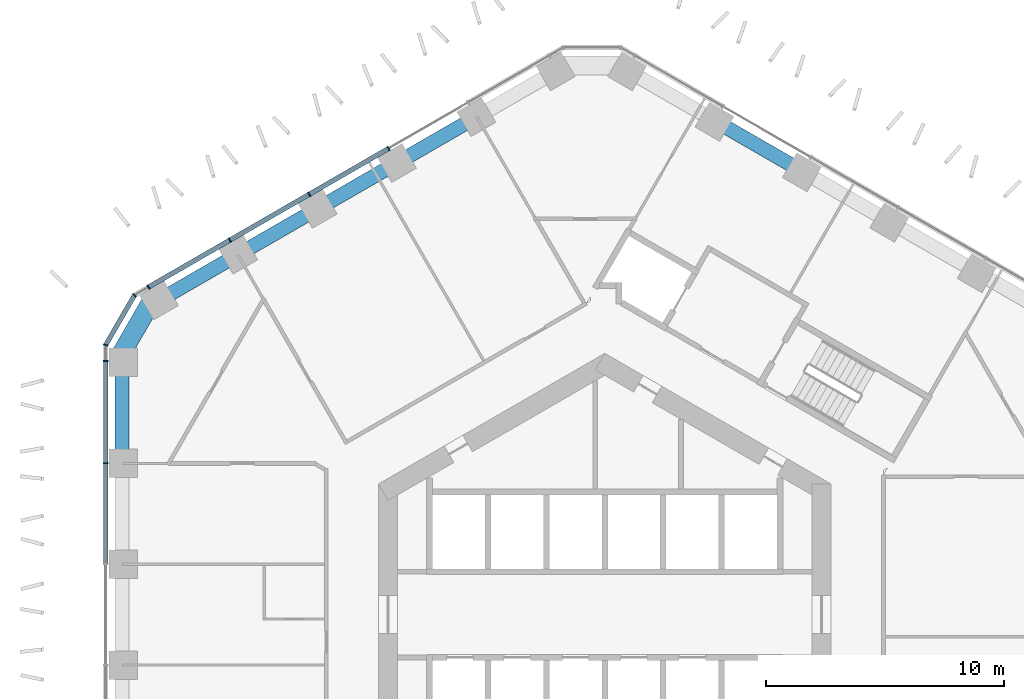
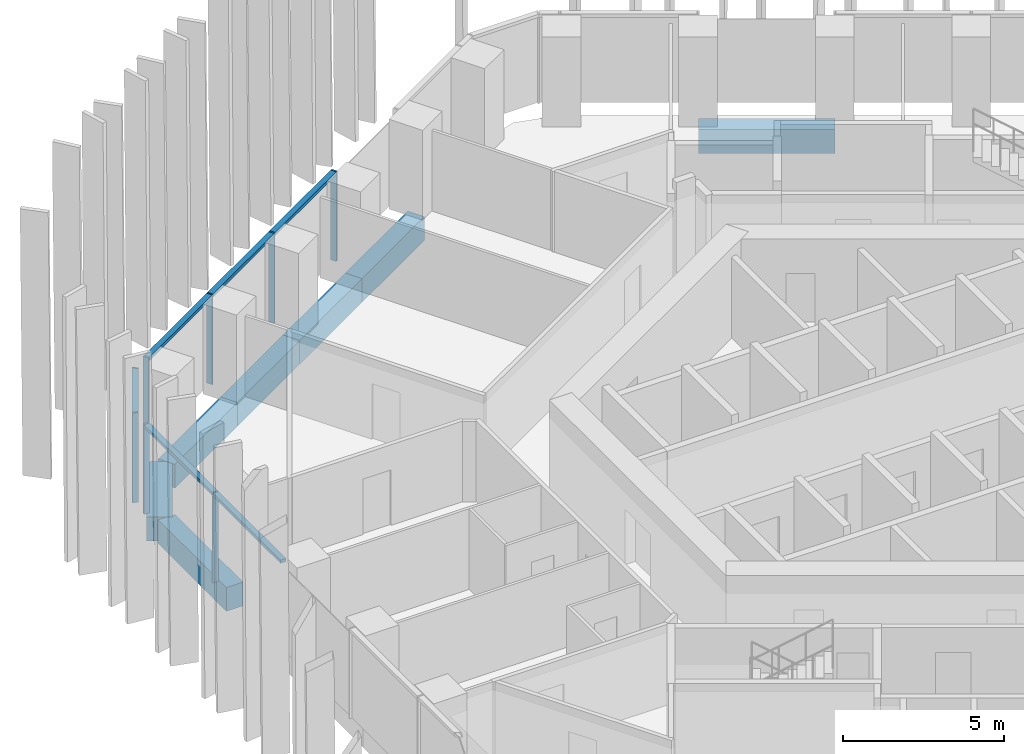
# One storey, part 5 of 19: 11 members, 7 beams, 3 elements without a shape of their own.
"""IFC4 building model written with IfcOpenShell, lengths in metres."""

import ifcopenshell
import ifcopenshell.guid

model = None  # the IFC model being written
_history = None  # IfcOwnerHistory: only IFC2X3 demands one
_inside = {}  # id of a spatial element -> (the spatial element, [elements in it])
_under = {}  # id of a project, library or spatial element -> (it, [spatial elements below it])
_declared = {}  # id of a project -> (the project, [libraries it declares])
_typed = {}  # id of a type object -> (the type object, [elements of that type])
_made_of = {}  # id of a material, layer set ... -> (it, [elements and type objects made of it])


def new_model(schema):
    """Start an empty IFC model of exactly this schema.

    Asked for "IFC4X3", IfcOpenShell would pick the latest addendum, in which some entities
    have other attributes; the version numbers below select the first issue.
    IFC2X3 requires an IfcOwnerHistory on every rooted entity: one is made here for all.
    """
    global model, _history
    if schema == "IFC4X3":
        model = ifcopenshell.file(schema_version=(4, 3, 0, 0))
    else:
        model = ifcopenshell.file(schema=schema)
    _inside.clear()
    _under.clear()
    _declared.clear()
    _typed.clear()
    _made_of.clear()
    _history = None
    if model.schema == "IFC2X3":
        org = make("IfcOrganization", Name="unknown")
        user = make(
            "IfcPersonAndOrganization",
            ThePerson=make("IfcPerson", FamilyName="unknown"),
            TheOrganization=org,
        )
        app = make(
            "IfcApplication",
            ApplicationDeveloper=org,
            Version="unknown",
            ApplicationFullName="unknown",
            ApplicationIdentifier="unknown",
        )
        _history = make(
            "IfcOwnerHistory",
            OwningUser=user,
            OwningApplication=app,
            ChangeAction="ADDED",
            CreationDate=0,
        )
    return model


def make(cls, **values):
    """One entity of the class cls with the attributes given. An attribute that is None is left unset."""
    return model.create_entity(
        cls, **{name: value for name, value in values.items() if value is not None}
    )


def rooted(cls, **values):
    """An entity with a GlobalId (a new one), such as an element, a storey or a relation."""
    return make(cls, GlobalId=ifcopenshell.guid.new(), OwnerHistory=_history, **values)


def si_unit(unit_type, name, prefix=None):
    """IfcSIUnit, for example si_unit("LENGTHUNIT", "METRE", prefix="MILLI")."""
    return make("IfcSIUnit", UnitType=unit_type, Prefix=prefix, Name=name)


def assignment(units):
    """IfcUnitAssignment: the units of a project."""
    return None if units is None else make("IfcUnitAssignment", Units=units)


def point(xyz):
    """IfcCartesianPoint."""
    return None if xyz is None else make("IfcCartesianPoint", Coordinates=xyz)


def direction(xyz):
    """IfcDirection."""
    return None if xyz is None else make("IfcDirection", DirectionRatios=xyz)


def frame(location, z_axis=None, x_axis=None):
    """IfcAxis2Placement3D, a coordinate frame: its origin and axes. An axis left out is left unset."""
    return make(
        "IfcAxis2Placement3D",
        Location=point(location),
        Axis=direction(z_axis),
        RefDirection=direction(x_axis),
    )


def frame_2d(location, x_axis=None):
    """IfcAxis2Placement2D, a coordinate frame in the plane: its origin and x axis."""
    return make(
        "IfcAxis2Placement2D", Location=point(location), RefDirection=direction(x_axis)
    )


def origin():
    """The frame at (0, 0, 0) with its axes left unset."""
    return frame((0.0, 0.0, 0.0))


def origin_2d():
    """The frame at (0, 0) in the plane with its x axis left unset."""
    return frame_2d((0.0, 0.0))


def place(relative_to, where):
    """IfcLocalPlacement: puts the frame where relative to a parent placement (None: the world)."""
    return make(
        "IfcLocalPlacement", PlacementRelTo=relative_to, RelativePlacement=where
    )


def context(
    kind, dimensions, precision=None, world=None, true_north=None, identifier=None
):
    """IfcGeometricRepresentationContext, for example the 3D "Model" context."""
    return make(
        "IfcGeometricRepresentationContext",
        ContextIdentifier=identifier,
        ContextType=kind,
        CoordinateSpaceDimension=dimensions,
        Precision=precision,
        WorldCoordinateSystem=world,
        TrueNorth=true_north,
    )


def subcontext(parent, identifier, kind, view, scale=None):
    """IfcGeometricRepresentationSubContext, for example "Body" below "Model"."""
    return make(
        "IfcGeometricRepresentationSubContext",
        ContextIdentifier=identifier,
        ContextType=kind,
        ParentContext=parent,
        TargetScale=scale,
        TargetView=view,
    )


def project(units=None, contexts=None):
    """IfcProject with its units and contexts."""
    return rooted(
        "IfcProject",
        Name="project",
        RepresentationContexts=contexts,
        UnitsInContext=assignment(units),
    )


def spatial(cls, under=None, at=None, **own):
    """A site, building, storey or space (cls), placed at a placement, below another one or the project."""
    s = rooted(cls, ObjectPlacement=at, **own)
    if under is not None:
        _under.setdefault(under.id(), (under, []))[1].append(s)
    return s


def profile(cls, at=None, kind="AREA", **sizes):
    """A parametric profile (cls). Its sizes go by their IFC names, for example OverallWidth=200.0."""
    return make(cls, ProfileType=kind, Position=at, **sizes)


def rectangle(**sizes):
    """IfcRectangleProfileDef."""
    return profile("IfcRectangleProfileDef", **sizes)


def extrude(swept, where, along, depth):
    """IfcExtrudedAreaSolid: the profile swept, set in the frame where, extruded along a direction by depth."""
    return make(
        "IfcExtrudedAreaSolid",
        SweptArea=swept,
        Position=where,
        ExtrudedDirection=direction(along),
        Depth=depth,
    )


def shape(context_of_items, identifier, shape_type, items):
    """IfcShapeRepresentation: the items that make up one representation, for example the "Body"."""
    return make(
        "IfcShapeRepresentation",
        ContextOfItems=context_of_items,
        RepresentationIdentifier=identifier,
        RepresentationType=shape_type,
        Items=items,
    )


def material(Name=None, Category=None):
    """IfcMaterial."""
    return make("IfcMaterial", Name=Name, Category=Category)


def layer(
    of_material, thickness, ventilated=None, Name=None, Category=None, Priority=None
):
    """IfcMaterialLayer: one layer of a wall or slab, of a material (None: an air gap)."""
    return make(
        "IfcMaterialLayer",
        Material=of_material,
        LayerThickness=thickness,
        IsVentilated=ventilated,
        Name=Name,
        Category=Category,
        Priority=Priority,
    )


def layer_set(layers, Name=None):
    """IfcMaterialLayerSet."""
    return make("IfcMaterialLayerSet", MaterialLayers=layers, LayerSetName=Name)


def material_profile(
    of_material, cross_section, Name=None, Category=None, Priority=None
):
    """IfcMaterialProfile: a cross section and its material."""
    return make(
        "IfcMaterialProfile",
        Name=Name,
        Material=of_material,
        Profile=cross_section,
        Priority=Priority,
        Category=Category,
    )


def profile_set(profiles, Name=None, composite=None):
    """IfcMaterialProfileSet."""
    return make(
        "IfcMaterialProfileSet",
        Name=Name,
        MaterialProfiles=profiles,
        CompositeProfile=composite,
    )


def made_of(thing, what):
    """Note that an element or type object is made of a material, layer set ...; save() writes the relation."""
    if what is not None:
        _made_of.setdefault(what.id(), (what, []))[1].append(thing)
    return thing


def type_object(cls, material=None, **own):
    """A type object (cls), such as IfcWallType, which elements share."""
    return made_of(rooted(cls, **own), material)


def element(
    cls,
    number,
    at=None,
    inside=None,
    cuts=None,
    type_object=None,
    material=None,
    context=None,
    identifier="Body",
    shape_type=None,
    held_by="IfcProductDefinitionShape",
    body=None,
    shapes=None,
    **own,
):
    """One element of the class cls, such as IfcWall. Its Tag is "e" and its number.

    at: its placement. inside: the storey or other place that contains it. cuts: it is an
    opening in that element (IfcRelVoidsElement). A single representation is given by context,
    identifier, shape_type and body (its items); several are given by shapes. held_by: the class
    of the entity that holds the representations. save() writes the other relations.
    """
    e = rooted(cls, Tag="e%d" % number, ObjectPlacement=at, **own)
    if body is not None:
        shapes = [shape(context, identifier, shape_type, body)]
    if shapes is not None:
        e.Representation = make(held_by, Representations=shapes)
    if inside is not None:
        _inside.setdefault(inside.id(), (inside, []))[1].append(e)
    if cuts is not None:
        rooted(
            "IfcRelVoidsElement", RelatingBuildingElement=cuts, RelatedOpeningElement=e
        )
    if type_object is not None:
        _typed.setdefault(type_object.id(), (type_object, []))[1].append(e)
    return made_of(e, material)


def aggregate(whole, parts):
    """IfcRelAggregates: a whole, such as a stair, and the parts it consists of."""
    return rooted("IfcRelAggregates", RelatingObject=whole, RelatedObjects=parts)


def save(model, path):
    """Write the relations noted so far, then the file.

    IfcRelAggregates (storeys below a building ...), IfcRelContainedInSpatialStructure (elements
    in a storey), IfcRelDefinesByType, IfcRelAssociatesMaterial and IfcRelDeclares: one each for
    every whole, place, type object, material and project.
    """
    for whole, parts in _under.values():
        aggregate(whole, parts)
    for where, things in _inside.values():
        rooted(
            "IfcRelContainedInSpatialStructure",
            RelatedElements=things,
            RelatingStructure=where,
        )
    for kind, things in _typed.values():
        rooted("IfcRelDefinesByType", RelatedObjects=things, RelatingType=kind)
    for what, things in _made_of.values():
        rooted("IfcRelAssociatesMaterial", RelatedObjects=things, RelatingMaterial=what)
    for by, libraries in _declared.values():
        rooted("IfcRelDeclares", RelatingContext=by, RelatedDefinitions=libraries)
    model.write(path)


model = new_model("IFC4")

# Units and contexts
model_context = context("Model", 3, precision=1e-05, world=origin(), true_north=direction((0.0, 1.0)))
body_context = subcontext(model_context, "Body", "Model", "MODEL_VIEW")
ifc_project = project(units=[si_unit("LENGTHUNIT", "METRE"), si_unit("AREAUNIT", "SQUARE_METRE"), si_unit("VOLUMEUNIT", "CUBIC_METRE"), si_unit("PLANEANGLEUNIT", "RADIAN"), si_unit("MASSUNIT", "GRAM", prefix="KILO")], contexts=[model_context])

# Site, building, storey
site_placement = place(None, origin())
site = spatial("IfcSite", under=ifc_project, at=site_placement, CompositionType="ELEMENT")
building_placement = place(site_placement, origin())
building = spatial("IfcBuilding", under=site, at=building_placement, Name="Ayvan Gate Tower", CompositionType="ELEMENT")
storey_placement = place(building_placement, frame((0.0, 0.0, 56.10009765625)))
storey = spatial("IfcBuildingStorey", under=building, at=storey_placement, Name="L14", CompositionType="ELEMENT", Elevation=56.10009765625)

# Beams
ifc_material_1 = material(Name="Concrete C40/50", Category="concrete")
ifc_material_profile_1 = material_profile(ifc_material_1, rectangle(XDim=0.800048828125, YDim=0.89990234375, at=origin_2d()), Name="RC 800x900")
ifc_profile_set_1 = profile_set([ifc_material_profile_1], Name="Concrete C40/50")
beam_type_1 = type_object("IfcBeamType", Name="Corner spandrel beam RC 800x900 C40/50", PredefinedType="BEAM", material=ifc_profile_set_1)
beam_1_placement = place(storey_placement, frame((-18.955078125, 13.2763671875, -0.800048828125), z_axis=(-0.499990139034, -0.866031096941, 0.0), x_axis=(0.866031096941, -0.499990139034, 0.0)))
element("IfcBeam", 1, at=beam_1_placement, inside=storey, type_object=beam_type_1, Name="SB-L14-18", PredefinedType="BEAM", context=body_context, shape_type="SweptSolid", body=[
    extrude(rectangle(XDim=0.800048828125, YDim=0.89990234375, at=origin_2d()), origin(), (0.0, 0.0, 1.0), 3.0),
])
ifc_material_profile_2 = material_profile(ifc_material_1, rectangle(XDim=0.60009765625, YDim=0.89990234375, at=origin_2d()), Name="RC 600x900")
ifc_profile_set_2 = profile_set([ifc_material_profile_2], Name="Concrete C40/50")
beam_type_2 = type_object("IfcBeamType", Name="Spandrel beam RC 600x900 C40/50", PredefinedType="BEAM", material=ifc_profile_set_2)
beam_2_placement = place(storey_placement, frame((8.3017578125, 18.6064453125, -0.800048828125), z_axis=(-0.86603458896, 0.499984090472, 0.0), x_axis=(-0.499984090472, -0.86603458896, 0.0)))
element("IfcBeam", 2, at=beam_2_placement, inside=storey, type_object=beam_type_2, Name="SB-L14-10", PredefinedType="BEAM", context=body_context, shape_type="SweptSolid", body=[
    extrude(rectangle(XDim=0.60009765625, YDim=0.89990234375, at=origin_2d()), origin(), (0.0, 0.0, 1.0), 4.227294921875),
])
for number, where, z_axis, x_axis, name in (
    (3, (-5.368896484375, 20.900146484375, -0.800048828125), (-0.866039445803, -0.499975677722, 0.0), (0.499975677722, -0.866039445803, 0.0), "SB-L14-14"),
    (4, (-8.7177734375, 18.966796875, -0.800048828125), (-0.866012107475, -0.500023029176, 0.0), (0.500023029176, -0.866012107475, 0.0), "SB-L14-15"),
    (5, (-12.066650390625, 17.033203125, -0.800048828125), (-0.866039445803, -0.499975677722, 0.0), (0.499975677722, -0.866039445803, 0.0), "SB-L14-16"),
    (6, (-15.41552734375, 15.099853515625, -0.800048828125), (-0.866012107475, -0.500023029176, 0.0), (0.500023029176, -0.866012107475, 0.0), "SB-L14-17"),
):
    element("IfcBeam", number, at=place(storey_placement, frame(where, z_axis=z_axis, x_axis=x_axis)), inside=storey, type_object=beam_type_2, Name=name, PredefinedType="BEAM", context=body_context, shape_type="SweptSolid", body=[
        extrude(rectangle(XDim=0.60009765625, YDim=0.89990234375, at=origin_2d()), origin(), (0.0, 0.0, 1.0), 3.866943359375),
    ])
beam_3_placement = place(storey_placement, frame((-20.264404296875, 10.568359375, -0.800048828125), z_axis=(0.0, -1.0, 0.0), x_axis=(1.0, 0.0, 0.0)))
element("IfcBeam", 7, at=beam_3_placement, inside=storey, type_object=beam_type_2, Name="SB-L14-19", PredefinedType="BEAM", context=body_context, shape_type="SweptSolid", body=[
    extrude(rectangle(XDim=0.60009765625, YDim=0.89990234375, at=origin_2d()), origin(), (0.0, 0.0, 1.0), 4.227294921875),
])

# Curtain wall, members
ifc_material_2 = material(Name="Bronze anodised aluminium", Category="aluminium")
ifc_layer_1 = layer(ifc_material_2, 0.199951171875)
ifc_layer_set_1 = layer_set([ifc_layer_1], Name="Bronze anodised aluminium")
curtain_wall_type_1 = type_object("IfcCurtainWallType", Name="Stick curtain wall CW-1", PredefinedType="NOTDEFINED", material=ifc_layer_set_1)
curtain_wall_1_placement = place(storey_placement, origin())
curtain_wall_1 = element("IfcCurtainWall", 8, at=curtain_wall_1_placement, inside=storey, type_object=curtain_wall_type_1, Name="Stick curtain wall CW-1 L14", PredefinedType="NOTDEFINED")
ifc_material_profile_3 = material_profile(ifc_material_2, rectangle(XDim=0.199951171875, YDim=0.06005859375, at=origin_2d()), Name="Stick curtain wall CW-1 mullion 200 x 60")
ifc_profile_set_3 = profile_set([ifc_material_profile_3], Name="Bronze anodised aluminium")
member_type_1 = type_object("IfcMemberType", Name="Stick curtain wall CW-1 mullion 200 x 60", PredefinedType="MULLION", material=ifc_profile_set_3)
member_1_placement = place(storey_placement, frame((-9.07666015625, 19.56787109375, 0.0), z_axis=(0.0, 0.0, 1.0), x_axis=(-0.5, 0.866025403784, 0.0)))
member_1 = element("IfcMember", 9, at=member_1_placement, type_object=member_type_1, Name="CW-1 mullion 3", PredefinedType="MULLION", context=body_context, shape_type="SweptSolid", body=[
    extrude(rectangle(XDim=0.199951171875, YDim=0.06005859375, at=origin_2d()), origin(), (0.0, 0.0, 1.0), 3.39990234375),
])
member_2_placement = place(storey_placement, frame((-12.408203125, 17.644287109375, 0.0), z_axis=(0.0, 0.0, 1.0), x_axis=(-0.5, 0.866025403784, 0.0)))
member_2 = element("IfcMember", 10, at=member_2_placement, type_object=member_type_1, Name="CW-1 mullion 4", PredefinedType="MULLION", context=body_context, shape_type="SweptSolid", body=[
    extrude(rectangle(XDim=0.199951171875, YDim=0.06005859375, at=origin_2d()), origin(), (0.0, 0.0, 1.0), 3.39990234375),
])
member_3_placement = place(storey_placement, frame((-15.73974609375, 15.720947265625, 0.0), z_axis=(0.0, 0.0, 1.0), x_axis=(-0.5, 0.866025403784, 0.0)))
member_3 = element("IfcMember", 11, at=member_3_placement, type_object=member_type_1, Name="CW-1 mullion 5", PredefinedType="MULLION", context=body_context, shape_type="SweptSolid", body=[
    extrude(rectangle(XDim=0.199951171875, YDim=0.06005859375, at=origin_2d()), origin(), (0.0, 0.0, 1.0), 3.39990234375),
])
member_4_placement = place(storey_placement, frame((-19.154296875, 13.74951171875, 0.0), z_axis=(0.0, 0.0, 1.0), x_axis=(-0.5, 0.866025403784, 0.0)))
member_4 = element("IfcMember", 12, at=member_4_placement, type_object=member_type_1, Name="CW-1 mullion 6", PredefinedType="MULLION", context=body_context, shape_type="SweptSolid", body=[
    extrude(rectangle(XDim=0.199951171875, YDim=0.06005859375, at=origin_2d()), origin(), (0.0, 0.0, 1.0), 3.39990234375),
])

curtain_wall_2_placement = place(storey_placement, origin())
curtain_wall_2 = element("IfcCurtainWall", 13, at=curtain_wall_2_placement, inside=storey, type_object=curtain_wall_type_1, Name="Stick curtain wall CW-1 L14", PredefinedType="NOTDEFINED")
member_5_placement = place(storey_placement, frame((-20.950439453125, 10.638427734375, 0.0), z_axis=(0.0, 0.0, 1.0), x_axis=(-1.0, 0.0, 0.0)))
member_5 = element("IfcMember", 14, at=member_5_placement, type_object=member_type_1, Name="CW-1 mullion 1", PredefinedType="MULLION", context=body_context, shape_type="SweptSolid", body=[
    extrude(rectangle(XDim=0.199951171875, YDim=0.06005859375, at=origin_2d()), origin(), (0.0, 0.0, 1.0), 3.39990234375),
])
member_6_placement = place(storey_placement, frame((-20.950439453125, 6.3564453125, 0.0), z_axis=(0.0, 0.0, 1.0), x_axis=(-1.0, 0.0, 0.0)))
member_6 = element("IfcMember", 15, at=member_6_placement, type_object=member_type_1, Name="CW-1 mullion 2", PredefinedType="MULLION", context=body_context, shape_type="SweptSolid", body=[
    extrude(rectangle(XDim=0.199951171875, YDim=0.06005859375, at=origin_2d()), origin(), (0.0, 0.0, 1.0), 3.39990234375),
])

# Member
ifc_material_profile_4 = material_profile(ifc_material_2, rectangle(XDim=0.199951171875, YDim=0.1201171875, at=origin_2d()), Name="Stick curtain wall CW-1 transom 200 x 120")
ifc_profile_set_4 = profile_set([ifc_material_profile_4], Name="Bronze anodised aluminium")
member_type_2 = type_object("IfcMemberType", Name="Stick curtain wall CW-1 transom 200 x 120", PredefinedType="USERDEFINED", material=ifc_profile_set_4)
member_7_placement = place(storey_placement, frame((-9.1025390625, 19.552978515625, 3.33984375), z_axis=(-0.866022355133, -0.500005280382, 0.0), x_axis=(0.500005280382, -0.866022355133, 0.0)))
member_7 = element("IfcMember", 16, at=member_7_placement, type_object=member_type_2, Name="CW-1 transom 2", ObjectType="TRANSOM", PredefinedType="USERDEFINED", context=body_context, shape_type="SweptSolid", body=[
    extrude(rectangle(XDim=0.199951171875, YDim=0.1201171875, at=origin_2d()), origin(), (0.0, 0.0, 1.0), 11.606689453125),
])

aggregate(curtain_wall_1, [member_1, member_2, member_3, member_4, member_7])

member_8_placement = place(storey_placement, frame((-20.950439453125, 10.638427734375, 3.33984375), z_axis=(0.0, -1.0, 0.0), x_axis=(1.0, 0.0, 0.0)))
member_8 = element("IfcMember", 17, at=member_8_placement, type_object=member_type_2, Name="CW-1 transom 1", ObjectType="TRANSOM", PredefinedType="USERDEFINED", context=body_context, shape_type="SweptSolid", body=[
    extrude(rectangle(XDim=0.199951171875, YDim=0.1201171875, at=origin_2d()), origin(), (0.0, 0.0, 1.0), 8.489990234375),
])

aggregate(curtain_wall_2, [member_5, member_6, member_8])

# Curtain wall, members
ifc_layer_2 = layer(ifc_material_2, 0.199951171875)
ifc_layer_set_2 = layer_set([ifc_layer_2], Name="Bronze anodised aluminium")
curtain_wall_type_2 = type_object("IfcCurtainWallType", Name="Stick curtain wall CW-6", PredefinedType="NOTDEFINED", material=ifc_layer_set_2)
curtain_wall_3_placement = place(storey_placement, origin())
curtain_wall_3 = element("IfcCurtainWall", 18, at=curtain_wall_3_placement, inside=storey, type_object=curtain_wall_type_2, Name="Stick curtain wall CW-6 L14", PredefinedType="NOTDEFINED")
ifc_material_profile_5 = material_profile(ifc_material_2, rectangle(XDim=0.199951171875, YDim=0.050048828125, at=origin_2d()), Name="Stick curtain wall CW-6 mullion 200 x 50")
ifc_profile_set_5 = profile_set([ifc_material_profile_5], Name="Bronze anodised aluminium")
member_type_3 = type_object("IfcMemberType", Name="Stick curtain wall CW-6 mullion 200 x 50", PredefinedType="MULLION", material=ifc_profile_set_5)
member_9_placement = place(storey_placement, frame((-19.7431640625, 13.409423828125, 0.0), z_axis=(0.0, 0.0, 1.0), x_axis=(-0.707106781187, 0.707106781187, 0.0)))
member_9 = element("IfcMember", 19, at=member_9_placement, type_object=member_type_3, Name="CW-6 mullion 2", PredefinedType="MULLION", context=body_context, shape_type="SweptSolid", body=[
    extrude(rectangle(XDim=0.199951171875, YDim=0.050048828125, at=origin_2d()), origin(), (0.0, 0.0, 1.0), 3.39990234375),
])
member_10_placement = place(storey_placement, frame((-20.950439453125, 11.318603515625, 0.0), z_axis=(0.0, 0.0, 1.0), x_axis=(-0.965925826289, 0.258819045103, 0.0)))
member_10 = element("IfcMember", 20, at=member_10_placement, type_object=member_type_3, Name="CW-6 mullion 3", PredefinedType="MULLION", context=body_context, shape_type="SweptSolid", body=[
    extrude(rectangle(XDim=0.199951171875, YDim=0.050048828125, at=origin_2d()), origin(), (0.0, 0.0, 1.0), 3.39990234375),
])
ifc_material_profile_6 = material_profile(ifc_material_2, rectangle(XDim=0.199951171875, YDim=0.1201171875, at=origin_2d()), Name="Stick curtain wall CW-6 transom 200 x 120")
ifc_profile_set_6 = profile_set([ifc_material_profile_6], Name="Bronze anodised aluminium")
member_type_4 = type_object("IfcMemberType", Name="Stick curtain wall CW-6 transom 200 x 120", PredefinedType="USERDEFINED", material=ifc_profile_set_6)
member_11_placement = place(storey_placement, frame((-19.755615234375, 13.387939453125, 3.33984375), z_axis=(-0.500014398087, -0.866017090885, 0.0), x_axis=(0.866017090885, -0.500014398087, 0.0)))
member_11 = element("IfcMember", 21, at=member_11_placement, type_object=member_type_4, Name="CW-6 transom 2", ObjectType="TRANSOM", PredefinedType="USERDEFINED", context=body_context, shape_type="SweptSolid", body=[
    extrude(rectangle(XDim=0.199951171875, YDim=0.1201171875, at=origin_2d()), origin(), (0.0, 0.0, 1.0), 2.36474609375),
])
aggregate(curtain_wall_3, [member_9, member_10, member_11])

save(model, "model.ifc")
